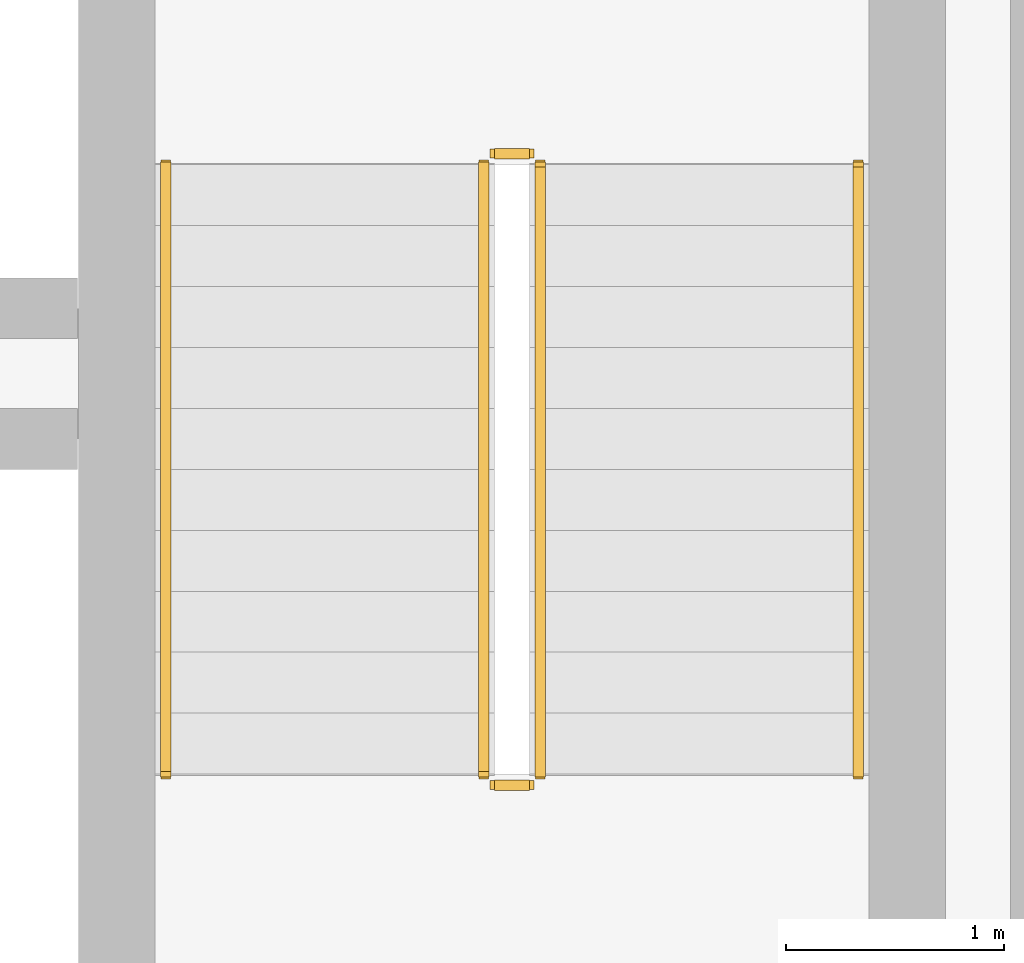
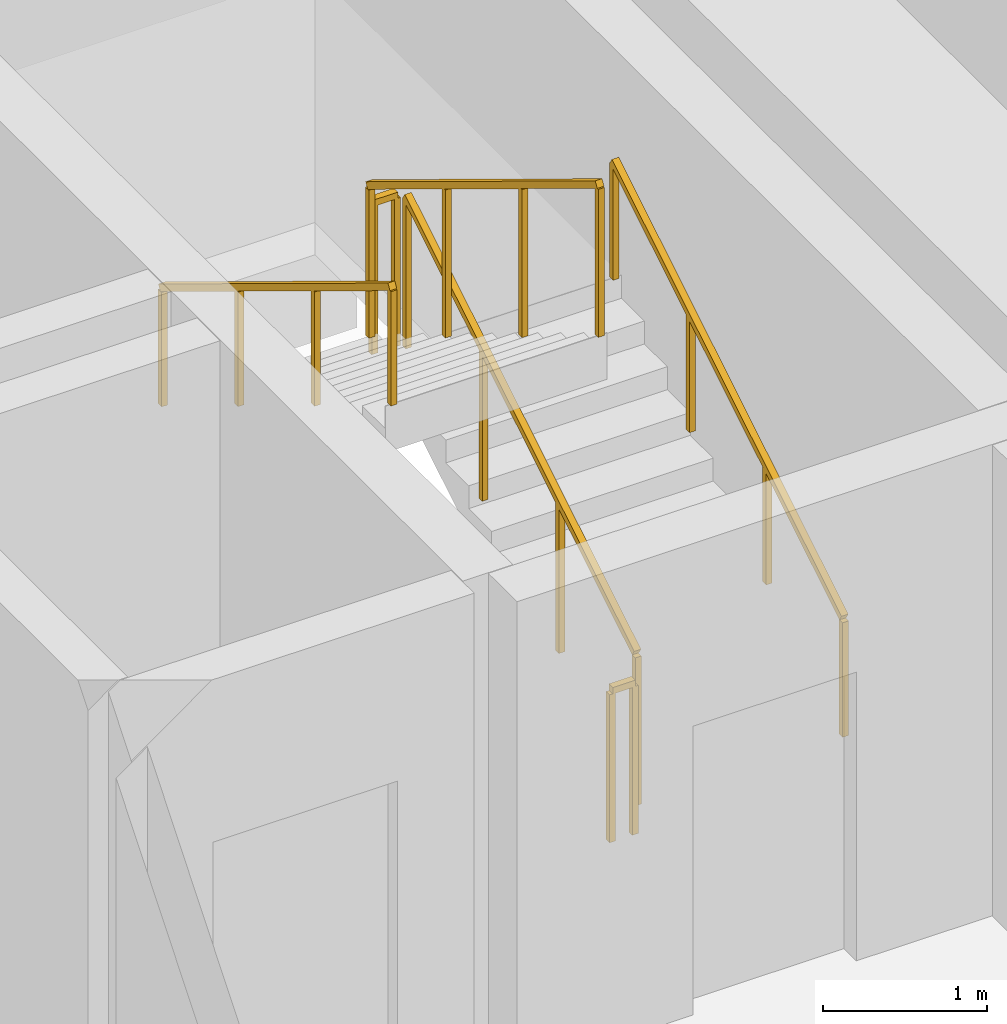
# One storey, part 15 of 15: 6 railings.
"""IFC4 building model written with IfcOpenShell, lengths in metres."""

import ifcopenshell
import ifcopenshell.guid

model = None  # the IFC model being written
_history = None  # IfcOwnerHistory: only IFC2X3 demands one
_inside = {}  # id of a spatial element -> (the spatial element, [elements in it])
_under = {}  # id of a project, library or spatial element -> (it, [spatial elements below it])
_declared = {}  # id of a project -> (the project, [libraries it declares])
_typed = {}  # id of a type object -> (the type object, [elements of that type])
_made_of = {}  # id of a material, layer set ... -> (it, [elements and type objects made of it])


def new_model(schema):
    """Start an empty IFC model of exactly this schema.

    Asked for "IFC4X3", IfcOpenShell would pick the latest addendum, in which some entities
    have other attributes; the version numbers below select the first issue.
    IFC2X3 requires an IfcOwnerHistory on every rooted entity: one is made here for all.
    """
    global model, _history
    if schema == "IFC4X3":
        model = ifcopenshell.file(schema_version=(4, 3, 0, 0))
    else:
        model = ifcopenshell.file(schema=schema)
    _inside.clear()
    _under.clear()
    _declared.clear()
    _typed.clear()
    _made_of.clear()
    _history = None
    if model.schema == "IFC2X3":
        org = make("IfcOrganization", Name="unknown")
        user = make(
            "IfcPersonAndOrganization",
            ThePerson=make("IfcPerson", FamilyName="unknown"),
            TheOrganization=org,
        )
        app = make(
            "IfcApplication",
            ApplicationDeveloper=org,
            Version="unknown",
            ApplicationFullName="unknown",
            ApplicationIdentifier="unknown",
        )
        _history = make(
            "IfcOwnerHistory",
            OwningUser=user,
            OwningApplication=app,
            ChangeAction="ADDED",
            CreationDate=0,
        )
    return model


def make(cls, **values):
    """One entity of the class cls with the attributes given. An attribute that is None is left unset."""
    return model.create_entity(
        cls, **{name: value for name, value in values.items() if value is not None}
    )


def rooted(cls, **values):
    """An entity with a GlobalId (a new one), such as an element, a storey or a relation."""
    return make(cls, GlobalId=ifcopenshell.guid.new(), OwnerHistory=_history, **values)


def si_unit(unit_type, name, prefix=None):
    """IfcSIUnit, for example si_unit("LENGTHUNIT", "METRE", prefix="MILLI")."""
    return make("IfcSIUnit", UnitType=unit_type, Prefix=prefix, Name=name)


def assignment(units):
    """IfcUnitAssignment: the units of a project."""
    return None if units is None else make("IfcUnitAssignment", Units=units)


def point(xyz):
    """IfcCartesianPoint."""
    return None if xyz is None else make("IfcCartesianPoint", Coordinates=xyz)


def direction(xyz):
    """IfcDirection."""
    return None if xyz is None else make("IfcDirection", DirectionRatios=xyz)


def frame(location, z_axis=None, x_axis=None):
    """IfcAxis2Placement3D, a coordinate frame: its origin and axes. An axis left out is left unset."""
    return make(
        "IfcAxis2Placement3D",
        Location=point(location),
        Axis=direction(z_axis),
        RefDirection=direction(x_axis),
    )


def frame_2d(location, x_axis=None):
    """IfcAxis2Placement2D, a coordinate frame in the plane: its origin and x axis."""
    return make(
        "IfcAxis2Placement2D", Location=point(location), RefDirection=direction(x_axis)
    )


def origin():
    """The frame at (0, 0, 0) with its axes left unset."""
    return frame((0.0, 0.0, 0.0))


def origin_2d():
    """The frame at (0, 0) in the plane with its x axis left unset."""
    return frame_2d((0.0, 0.0))


def place(relative_to, where):
    """IfcLocalPlacement: puts the frame where relative to a parent placement (None: the world)."""
    return make(
        "IfcLocalPlacement", PlacementRelTo=relative_to, RelativePlacement=where
    )


def context(
    kind, dimensions, precision=None, world=None, true_north=None, identifier=None
):
    """IfcGeometricRepresentationContext, for example the 3D "Model" context."""
    return make(
        "IfcGeometricRepresentationContext",
        ContextIdentifier=identifier,
        ContextType=kind,
        CoordinateSpaceDimension=dimensions,
        Precision=precision,
        WorldCoordinateSystem=world,
        TrueNorth=true_north,
    )


def subcontext(parent, identifier, kind, view, scale=None):
    """IfcGeometricRepresentationSubContext, for example "Body" below "Model"."""
    return make(
        "IfcGeometricRepresentationSubContext",
        ContextIdentifier=identifier,
        ContextType=kind,
        ParentContext=parent,
        TargetScale=scale,
        TargetView=view,
    )


def project(units=None, contexts=None):
    """IfcProject with its units and contexts."""
    return rooted(
        "IfcProject",
        Name="project",
        RepresentationContexts=contexts,
        UnitsInContext=assignment(units),
    )


def spatial(cls, under=None, at=None, **own):
    """A site, building, storey or space (cls), placed at a placement, below another one or the project."""
    s = rooted(cls, ObjectPlacement=at, **own)
    if under is not None:
        _under.setdefault(under.id(), (under, []))[1].append(s)
    return s


def profile(cls, at=None, kind="AREA", **sizes):
    """A parametric profile (cls). Its sizes go by their IFC names, for example OverallWidth=200.0."""
    return make(cls, ProfileType=kind, Position=at, **sizes)


def rectangle(**sizes):
    """IfcRectangleProfileDef."""
    return profile("IfcRectangleProfileDef", **sizes)


def extrude(swept, where, along, depth):
    """IfcExtrudedAreaSolid: the profile swept, set in the frame where, extruded along a direction by depth."""
    return make(
        "IfcExtrudedAreaSolid",
        SweptArea=swept,
        Position=where,
        ExtrudedDirection=direction(along),
        Depth=depth,
    )


def shape(context_of_items, identifier, shape_type, items):
    """IfcShapeRepresentation: the items that make up one representation, for example the "Body"."""
    return make(
        "IfcShapeRepresentation",
        ContextOfItems=context_of_items,
        RepresentationIdentifier=identifier,
        RepresentationType=shape_type,
        Items=items,
    )


def material(Name=None, Category=None):
    """IfcMaterial."""
    return make("IfcMaterial", Name=Name, Category=Category)


def made_of(thing, what):
    """Note that an element or type object is made of a material, layer set ...; save() writes the relation."""
    if what is not None:
        _made_of.setdefault(what.id(), (what, []))[1].append(thing)
    return thing


def type_object(cls, material=None, **own):
    """A type object (cls), such as IfcWallType, which elements share."""
    return made_of(rooted(cls, **own), material)


def element(
    cls,
    number,
    at=None,
    inside=None,
    cuts=None,
    type_object=None,
    material=None,
    context=None,
    identifier="Body",
    shape_type=None,
    held_by="IfcProductDefinitionShape",
    body=None,
    shapes=None,
    **own,
):
    """One element of the class cls, such as IfcWall. Its Tag is "e" and its number.

    at: its placement. inside: the storey or other place that contains it. cuts: it is an
    opening in that element (IfcRelVoidsElement). A single representation is given by context,
    identifier, shape_type and body (its items); several are given by shapes. held_by: the class
    of the entity that holds the representations. save() writes the other relations.
    """
    e = rooted(cls, Tag="e%d" % number, ObjectPlacement=at, **own)
    if body is not None:
        shapes = [shape(context, identifier, shape_type, body)]
    if shapes is not None:
        e.Representation = make(held_by, Representations=shapes)
    if inside is not None:
        _inside.setdefault(inside.id(), (inside, []))[1].append(e)
    if cuts is not None:
        rooted(
            "IfcRelVoidsElement", RelatingBuildingElement=cuts, RelatedOpeningElement=e
        )
    if type_object is not None:
        _typed.setdefault(type_object.id(), (type_object, []))[1].append(e)
    return made_of(e, material)


def aggregate(whole, parts):
    """IfcRelAggregates: a whole, such as a stair, and the parts it consists of."""
    return rooted("IfcRelAggregates", RelatingObject=whole, RelatedObjects=parts)


def save(model, path):
    """Write the relations noted so far, then the file.

    IfcRelAggregates (storeys below a building ...), IfcRelContainedInSpatialStructure (elements
    in a storey), IfcRelDefinesByType, IfcRelAssociatesMaterial and IfcRelDeclares: one each for
    every whole, place, type object, material and project.
    """
    for whole, parts in _under.values():
        aggregate(whole, parts)
    for where, things in _inside.values():
        rooted(
            "IfcRelContainedInSpatialStructure",
            RelatedElements=things,
            RelatingStructure=where,
        )
    for kind, things in _typed.values():
        rooted("IfcRelDefinesByType", RelatedObjects=things, RelatingType=kind)
    for what, things in _made_of.values():
        rooted("IfcRelAssociatesMaterial", RelatedObjects=things, RelatingMaterial=what)
    for by, libraries in _declared.values():
        rooted("IfcRelDeclares", RelatingContext=by, RelatedDefinitions=libraries)
    model.write(path)


model = new_model("IFC4")

# Units and contexts
model_context = context("Model", 3, precision=1e-05, world=origin(), true_north=direction((0.0, 1.0)))
body_context = subcontext(model_context, "Body", "Model", "MODEL_VIEW")
ifc_project = project(units=[si_unit("LENGTHUNIT", "METRE"), si_unit("AREAUNIT", "SQUARE_METRE"), si_unit("VOLUMEUNIT", "CUBIC_METRE"), si_unit("PLANEANGLEUNIT", "RADIAN"), si_unit("MASSUNIT", "GRAM", prefix="KILO")], contexts=[model_context])

# Site, building, storey
site_placement = place(None, origin())
site = spatial("IfcSite", under=ifc_project, at=site_placement, CompositionType="ELEMENT")
building_placement = place(site_placement, origin())
building = spatial("IfcBuilding", under=site, at=building_placement, Name="Kaelvorn Grand Hotel", CompositionType="ELEMENT")
storey_placement = place(building_placement, frame((0.0, 0.0, 72.64990234375)))
storey = spatial("IfcBuildingStorey", under=building, at=storey_placement, Name="L16", CompositionType="ELEMENT", Elevation=72.64990234375)

# Railings
ifc_material = material(Name="Stainless Steel", Category="steel")
railing_type_1 = type_object("IfcRailingType", Name="RL-HANDRAIL-900", PredefinedType="HANDRAIL", material=ifc_material)
railing_1_placement = place(storey_placement, frame((66.550048828125, 41.760009765625, 0.170654296875)))
element("IfcRailing", 1, at=railing_1_placement, inside=storey, type_object=railing_type_1, Name="L16 ST3 stair handrail 1", PredefinedType="HANDRAIL", context=body_context, shape_type="SweptSolid", body=[
    extrude(rectangle(XDim=0.048095703125, YDim=0.048095703125, at=origin_2d()), frame((0.0, 0.0, 0.8759765625), z_axis=(0.0, 0.854202870247, 0.519939858505), x_axis=(-1.0, 0.0, 0.0)), (0.0, 0.0, 1.0), 3.278076171875),
    extrude(rectangle(XDim=0.0419921875, YDim=0.0419921875, at=origin_2d()), origin(), (0.0, 0.0, 1.0), 0.851806640625),
    extrude(rectangle(XDim=0.0419921875, YDim=0.0419921875, at=origin_2d()), frame((0.0, 0.933349609375, 0.568115234375)), (0.0, 0.0, 1.0), 0.851806640625),
    extrude(rectangle(XDim=0.0419921875, YDim=0.0419921875, at=origin_2d()), frame((0.0, 1.86669921875, 1.13623046875)), (0.0, 0.0, 1.0), 0.851806640625),
    extrude(rectangle(XDim=0.0419921875, YDim=0.0419921875, at=origin_2d()), frame((0.0, 2.800048828125, 1.704345703125)), (0.0, 0.0, 1.0), 0.851806640625),
])
railing_2_placement = place(storey_placement, frame((63.3701171875, 44.56005859375, 2.045654296875)))
element("IfcRailing", 2, at=railing_2_placement, inside=storey, type_object=railing_type_1, Name="L16 ST3 stair handrail 2", PredefinedType="HANDRAIL", context=body_context, shape_type="SweptSolid", body=[
    extrude(rectangle(XDim=0.048095703125, YDim=0.048095703125, at=origin_2d()), frame((0.0, 0.0, 0.8759765625), z_axis=(0.0, -0.854202870247, 0.519939858505), x_axis=(1.0, 0.0, 0.0)), (0.0, 0.0, 1.0), 3.278076171875),
    extrude(rectangle(XDim=0.0419921875, YDim=0.0419921875, at=origin_2d()), origin(), (0.0, 0.0, 1.0), 0.851806640625),
    extrude(rectangle(XDim=0.0419921875, YDim=0.0419921875, at=origin_2d()), frame((0.0, -0.933349609375, 0.568115234375)), (0.0, 0.0, 1.0), 0.851806640625),
    extrude(rectangle(XDim=0.0419921875, YDim=0.0419921875, at=origin_2d()), frame((0.0, -1.86669921875, 1.13623046875)), (0.0, 0.0, 1.0), 0.851806640625),
    extrude(rectangle(XDim=0.0419921875, YDim=0.0419921875, at=origin_2d()), frame((0.0, -2.800048828125, 1.704345703125)), (0.0, 0.0, 1.0), 0.851806640625),
])
railing_type_2 = type_object("IfcRailingType", Name="RL-STAIR-GUARD-1150", PredefinedType="BALUSTRADE", material=ifc_material)
railing_3_placement = place(storey_placement, frame((65.090087890625, 41.760009765625, 0.170654296875)))
element("IfcRailing", 3, at=railing_3_placement, inside=storey, type_object=railing_type_2, Name="L16 ST3 stair guard 1", PredefinedType="BALUSTRADE", context=body_context, shape_type="SweptSolid", body=[
    extrude(rectangle(XDim=0.048095703125, YDim=0.048095703125, at=origin_2d()), frame((0.0, 0.0, 1.1259765625), z_axis=(0.0, 0.854202870247, 0.519939858505), x_axis=(-1.0, 0.0, 0.0)), (0.0, 0.0, 1.0), 3.278076171875),
    extrude(rectangle(XDim=0.0419921875, YDim=0.0419921875, at=origin_2d()), origin(), (0.0, 0.0, 1.0), 1.101806640625),
    extrude(rectangle(XDim=0.0419921875, YDim=0.0419921875, at=origin_2d()), frame((0.0, 0.933349609375, 0.568115234375)), (0.0, 0.0, 1.0), 1.101806640625),
    extrude(rectangle(XDim=0.0419921875, YDim=0.0419921875, at=origin_2d()), frame((0.0, 1.86669921875, 1.13623046875)), (0.0, 0.0, 1.0), 1.101806640625),
    extrude(rectangle(XDim=0.0419921875, YDim=0.0419921875, at=origin_2d()), frame((0.0, 2.800048828125, 1.704345703125)), (0.0, 0.0, 1.0), 1.101806640625),
])
railing_4_placement = place(storey_placement, frame((65.0400390625, 44.610107421875, 1.875)))
element("IfcRailing", 4, at=railing_4_placement, inside=storey, type_object=railing_type_2, Name="L16 ST3 stair guard 2", PredefinedType="BALUSTRADE", context=body_context, shape_type="SweptSolid", body=[
    extrude(rectangle(XDim=0.048095703125, YDim=0.048095703125, at=origin_2d()), frame((0.0, 0.0, 1.1259765625), z_axis=(-1.0, 0.0, 0.0), x_axis=(0.0, -1.0, 0.0)), (0.0, 0.0, 1.0), 0.16015625),
    extrude(rectangle(XDim=0.0419921875, YDim=0.0419921875, at=origin_2d()), origin(), (0.0, 0.0, 1.0), 1.101806640625),
    extrude(rectangle(XDim=0.0419921875, YDim=0.0419921875, at=origin_2d()), frame((-0.16015625, 0.0, 0.0)), (0.0, 0.0, 1.0), 1.101806640625),
])
railing_5_placement = place(storey_placement, frame((64.830078125, 44.56005859375, 2.045654296875)))
element("IfcRailing", 5, at=railing_5_placement, inside=storey, type_object=railing_type_2, Name="L16 ST3 stair guard 3", PredefinedType="BALUSTRADE", context=body_context, shape_type="SweptSolid", body=[
    extrude(rectangle(XDim=0.048095703125, YDim=0.048095703125, at=origin_2d()), frame((0.0, 0.0, 1.1259765625), z_axis=(0.0, -0.854202870247, 0.519939858505), x_axis=(1.0, 0.0, 0.0)), (0.0, 0.0, 1.0), 3.278076171875),
    extrude(rectangle(XDim=0.0419921875, YDim=0.0419921875, at=origin_2d()), origin(), (0.0, 0.0, 1.0), 1.101806640625),
    extrude(rectangle(XDim=0.0419921875, YDim=0.0419921875, at=origin_2d()), frame((0.0, -0.933349609375, 0.568115234375)), (0.0, 0.0, 1.0), 1.101806640625),
    extrude(rectangle(XDim=0.0419921875, YDim=0.0419921875, at=origin_2d()), frame((0.0, -1.86669921875, 1.13623046875)), (0.0, 0.0, 1.0), 1.101806640625),
    extrude(rectangle(XDim=0.0419921875, YDim=0.0419921875, at=origin_2d()), frame((0.0, -2.800048828125, 1.704345703125)), (0.0, 0.0, 1.0), 1.101806640625),
])
railing_6_placement = place(storey_placement, frame((65.0400390625, 41.7099609375, 0.0)))
element("IfcRailing", 6, at=railing_6_placement, inside=storey, type_object=railing_type_2, Name="L16 ST3 stair guard 4", PredefinedType="BALUSTRADE", context=body_context, shape_type="SweptSolid", body=[
    extrude(rectangle(XDim=0.048095703125, YDim=0.048095703125, at=origin_2d()), frame((0.0, 0.0, 1.1259765625), z_axis=(-1.0, 0.0, 0.0), x_axis=(0.0, -1.0, 0.0)), (0.0, 0.0, 1.0), 0.16015625),
    extrude(rectangle(XDim=0.0419921875, YDim=0.0419921875, at=origin_2d()), origin(), (0.0, 0.0, 1.0), 1.101806640625),
    extrude(rectangle(XDim=0.0419921875, YDim=0.0419921875, at=origin_2d()), frame((-0.16015625, 0.0, 0.0)), (0.0, 0.0, 1.0), 1.101806640625),
])

save(model, "model.ifc")
